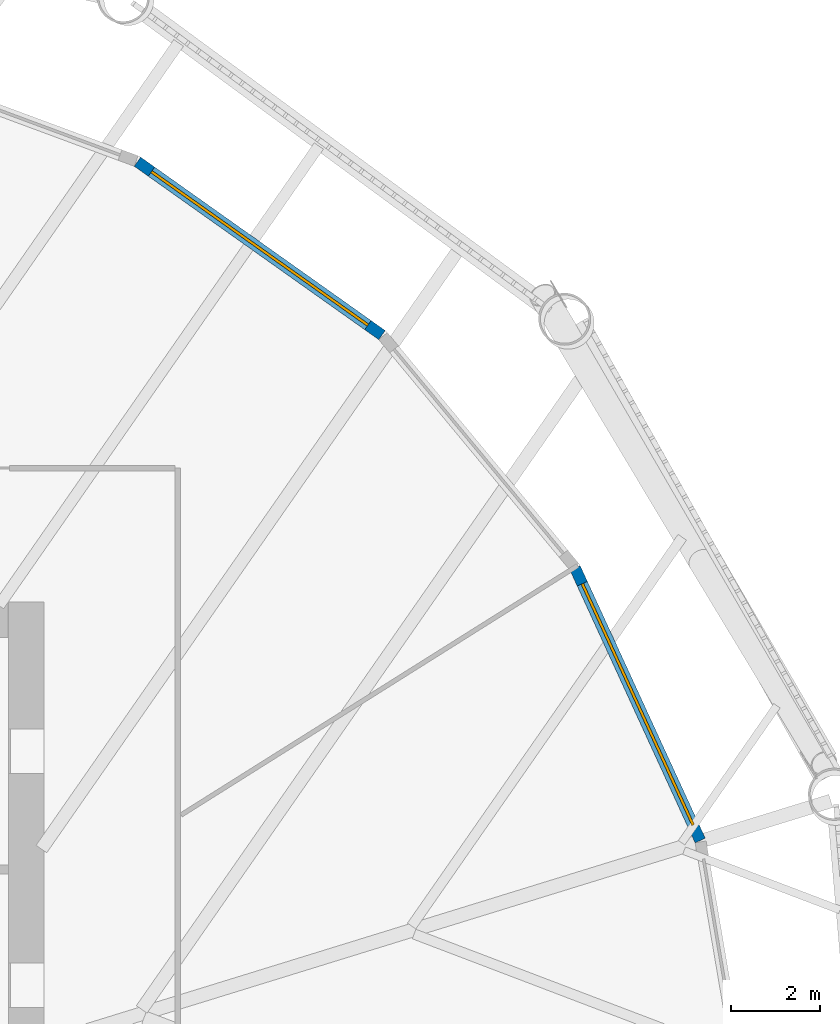
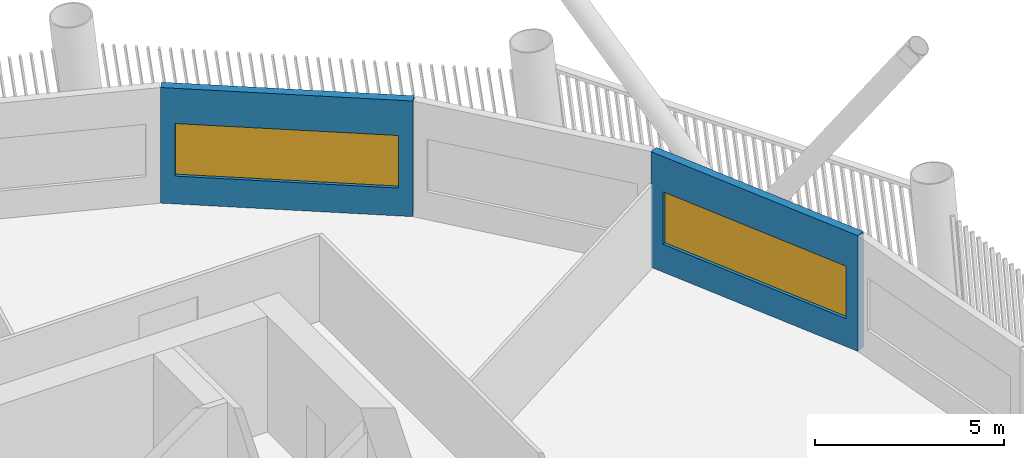
# One storey, part 8 of 23: 2 walls, 2 windows, 2 openings.
"""IFC4 building model written with IfcOpenShell, lengths in metres."""

from ifc_helpers import new_model, si_unit, direction, frame, frame_2d, origin, place, context, subcontext, project, spatial, rectangle, extrude, material, layer, layer_set, type_object, element, fill, save


model = new_model("IFC4")

# Units and contexts
model_context = context("Model", 3, precision=1e-05, world=origin(), true_north=direction((0.0, 1.0)))
body_context = subcontext(model_context, "Body", "Model", "MODEL_VIEW")
ifc_project = project(units=[si_unit("LENGTHUNIT", "METRE"), si_unit("AREAUNIT", "SQUARE_METRE"), si_unit("VOLUMEUNIT", "CUBIC_METRE"), si_unit("PLANEANGLEUNIT", "RADIAN"), si_unit("MASSUNIT", "GRAM", prefix="KILO")], contexts=[model_context])

# Site, building, storey
site_placement = place(None, origin())
site = spatial("IfcSite", under=ifc_project, at=site_placement, CompositionType="ELEMENT")
building_placement = place(site_placement, origin())
building = spatial("IfcBuilding", under=site, at=building_placement, Name="Tarsis Ring Headquarters", CompositionType="ELEMENT")
storey_placement = place(building_placement, frame((0.0, 0.0, 131.800048828125)))
storey = spatial("IfcBuildingStorey", under=building, at=storey_placement, Name="L30", CompositionType="ELEMENT", Elevation=131.800048828125)

# Wall, opening, window
ifc_material_1 = material(Name="Terracotta clad insulated panel wall", Category="masonry")
ifc_layer = layer(ifc_material_1, 0.25)
ifc_layer_set = layer_set([ifc_layer], Name="Facade wall terracotta panel 250")
wall_type = type_object("IfcWallType", Name="Facade wall terracotta panel 250", PredefinedType="STANDARD", material=ifc_layer_set)
wall_1_placement = place(storey_placement, frame((24.71533203125, 7.64892578125, 0.0), z_axis=(0.0, 0.0, 1.0), x_axis=(-0.417239957903, 0.908796356468, 0.0)))
wall_1 = element("IfcWall", 1, at=wall_1_placement, inside=storey, type_object=wall_type, Name="External wall L30-24", PredefinedType="STANDARD", context=body_context, shape_type="SweptSolid", body=[
    extrude(rectangle(XDim=6.721435546875, YDim=0.25, at=frame_2d((3.36083984375, 0.0))), origin(), (0.0, 0.0, 1.0), 3.739990234375),
])
opening_1_placement = place(wall_1_placement, frame((0.3857421875, 0.0, 0.89990234375)))
opening_1 = element("IfcOpeningElement", 2, at=opening_1_placement, cuts=wall_1, Name="Opening WN07", PredefinedType="OPENING", context=body_context, shape_type="SweptSolid", body=[
    extrude(rectangle(XDim=5.949951171875, YDim=1.699951171875, at=frame_2d((2.97509765625, 0.85009765625))), frame((0.0, 0.135009765625, 0.0), z_axis=(0.0, -1.0, 0.0), x_axis=(1.0, 0.0, 0.0)), (0.0, 0.0, 1.0), 0.27001953125),
])
ifc_material_2 = material(Name="Aluminium framed double glazing", Category="aluminium")
window_type = type_object("IfcWindowType", Name="Facade window 5950 x 1700", PartitioningType="SINGLE_PANEL", PredefinedType="WINDOW", material=ifc_material_2)
window_1_placement = place(opening_1_placement, origin())
window_1 = element("IfcWindow", 3, at=window_1_placement, inside=storey, type_object=window_type, Name="Window L30-24.1", OverallHeight=1.699951171875, OverallWidth=5.949951171875, PartitioningType="SINGLE_PANEL", PredefinedType="WINDOW", context=body_context, shape_type="SweptSolid", body=[
    extrude(rectangle(XDim=5.949951171875, YDim=1.699951171875, at=frame_2d((2.97509765625, 0.85009765625))), frame((0.0, 0.030029296875, 0.0), z_axis=(0.0, -1.0, 0.0), x_axis=(1.0, 0.0, 0.0)), (0.0, 0.0, 1.0), 0.06005859375),
])
fill(opening_1, window_1)

wall_2_placement = place(storey_placement, frame((17.57958984375, 18.981689453125, 0.0), z_axis=(0.0, 0.0, 1.0), x_axis=(-0.815728840139, 0.578434490124, 0.0)))
wall_2 = element("IfcWall", 4, at=wall_2_placement, inside=storey, type_object=wall_type, Name="External wall L30-26", PredefinedType="STANDARD", context=body_context, shape_type="SweptSolid", body=[
    extrude(rectangle(XDim=6.721435546875, YDim=0.25, at=frame_2d((3.36083984375, 0.0))), origin(), (0.0, 0.0, 1.0), 3.739990234375),
])
opening_2_placement = place(wall_2_placement, frame((0.3857421875, 0.0, 0.89990234375)))
opening_2 = element("IfcOpeningElement", 5, at=opening_2_placement, cuts=wall_2, Name="Opening WN07", PredefinedType="OPENING", context=body_context, shape_type="SweptSolid", body=[
    extrude(rectangle(XDim=5.949951171875, YDim=1.699951171875, at=frame_2d((2.97509765625, 0.85009765625))), frame((0.0, 0.135009765625, 0.0), z_axis=(0.0, -1.0, 0.0), x_axis=(1.0, 0.0, 0.0)), (0.0, 0.0, 1.0), 0.27001953125),
])
window_2_placement = place(opening_2_placement, origin())
window_2 = element("IfcWindow", 6, at=window_2_placement, inside=storey, type_object=window_type, Name="Window L30-26.1", OverallHeight=1.699951171875, OverallWidth=5.949951171875, PartitioningType="SINGLE_PANEL", PredefinedType="WINDOW", context=body_context, shape_type="SweptSolid", body=[
    extrude(rectangle(XDim=5.949951171875, YDim=1.699951171875, at=frame_2d((2.97509765625, 0.85009765625))), frame((0.0, 0.030029296875, 0.0), z_axis=(0.0, -1.0, 0.0), x_axis=(1.0, 0.0, 0.0)), (0.0, 0.0, 1.0), 0.06005859375),
])
fill(opening_2, window_2)

save(model, "model.ifc")
